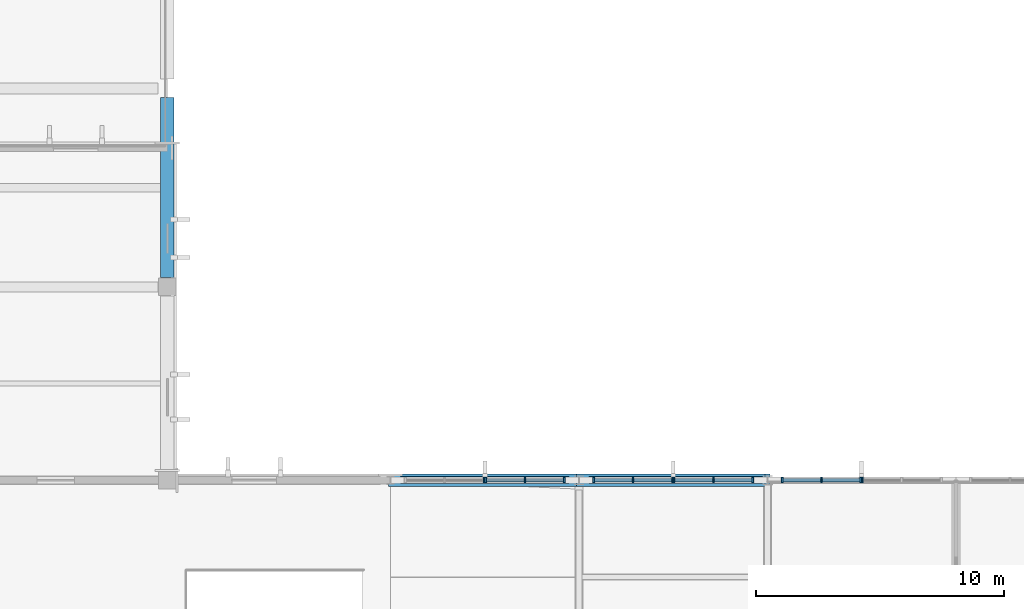
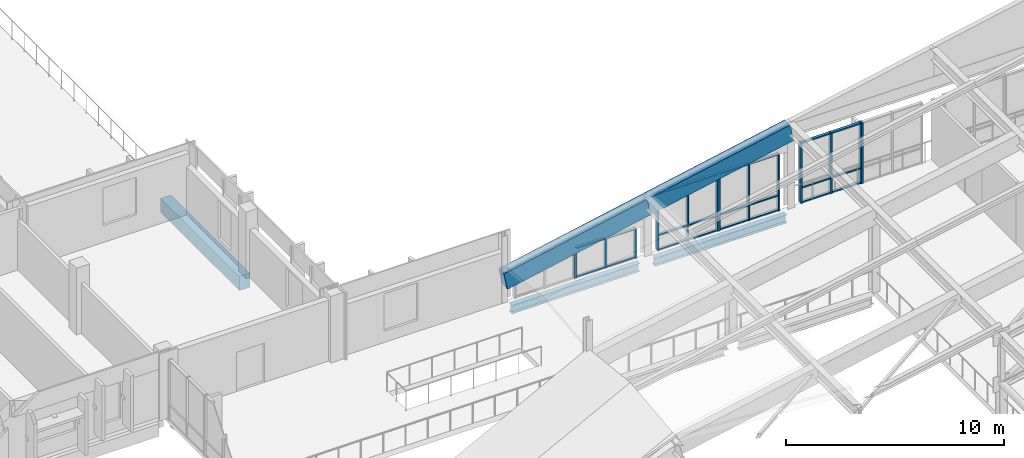
# One storey, part 23 of 73: 36 members, 5 beams, 6 elements without a shape of their own.
"""IFC4 building model written with IfcOpenShell, lengths in metres."""

from ifc_helpers import new_model, si_unit, direction, frame, origin, origin_2d, place, context, subcontext, project, spatial, rectangle, i_section, extrude, material, material_profile, profile_set, type_object, element, aggregate, save


model = new_model("IFC4")

# Units and contexts
model_context = context("Model", 3, precision=1e-05, world=origin(), true_north=direction((0.0, 1.0)))
body_context = subcontext(model_context, "Body", "Model", "MODEL_VIEW")
ifc_project = project(units=[si_unit("LENGTHUNIT", "METRE"), si_unit("AREAUNIT", "SQUARE_METRE"), si_unit("VOLUMEUNIT", "CUBIC_METRE"), si_unit("PLANEANGLEUNIT", "RADIAN"), si_unit("MASSUNIT", "GRAM", prefix="KILO")], contexts=[model_context])

# Site, building, storey
site_placement = place(None, origin())
site = spatial("IfcSite", under=ifc_project, at=site_placement, CompositionType="ELEMENT")
building_placement = place(site_placement, origin())
building = spatial("IfcBuilding", under=site, at=building_placement, Name="Vervanel Yard Central Library", CompositionType="ELEMENT")
storey_placement = place(building_placement, frame((0.0, 0.0, 12.780029296875)))
storey = spatial("IfcBuildingStorey", under=building, at=storey_placement, Name="L03", CompositionType="ELEMENT", Elevation=12.780029296875)

# Beams
ifc_material_1 = material(Name="Concrete C40/50", Category="concrete")
ifc_material_profile_1 = material_profile(ifc_material_1, rectangle(XDim=0.550048828125, YDim=0.800048828125, at=origin_2d()), Name="RC 550x800", Category="concrete")
ifc_profile_set_1 = profile_set([ifc_material_profile_1], Name="Concrete C40/50")
beam_type_1 = type_object("IfcBeamType", Name="Concrete Primary Girder 550x800", PredefinedType="BEAM", material=ifc_profile_set_1)
beam_1_placement = place(storey_placement, frame((99.0, 90.375, -0.735107421875), z_axis=(0.0, 1.0, 0.0), x_axis=(-1.0, 0.0, 0.0)))
element("IfcBeam", 1, at=beam_1_placement, inside=storey, type_object=beam_type_1, Name="L03 Girder CB-02 X=99.0 Y=90.0-98.0", PredefinedType="BEAM", context=body_context, shape_type="SweptSolid", body=[
    extrude(rectangle(XDim=0.550048828125, YDim=0.800048828125, at=origin_2d()), origin(), (0.0, 0.0, 1.0), 7.25),
])
ifc_material_2 = material(Name="Concrete C45/55", Category="concrete")
ifc_material_profile_2 = material_profile(ifc_material_2, rectangle(XDim=0.5, YDim=0.949951171875, at=origin_2d()), Name="RC 500x950", Category="concrete")
ifc_profile_set_2 = profile_set([ifc_material_profile_2], Name="Concrete C45/55")
beam_type_2 = type_object("IfcBeamType", Name="Folded Shell Concrete Edge Rib 500x950", PredefinedType="BEAM", material=ifc_profile_set_2)
beam_2_placement = place(storey_placement, frame((108.0, 82.199951171875, 1.239990234375), z_axis=(0.980653304953, 0.0, 0.195752638515), x_axis=(0.0, 1.0, 0.0)))
element("IfcBeam", 2, at=beam_2_placement, inside=storey, type_object=beam_type_2, Name="Folded Shell Edge Rib Bay 3 Y=82.2", PredefinedType="BEAM", context=body_context, shape_type="SweptSolid", body=[
    extrude(rectangle(XDim=0.5, YDim=0.949951171875, at=origin_2d()), origin(), (0.0, 0.0, 1.0), 7.75),
])
beam_3_placement = place(storey_placement, frame((115.60009765625, 82.199951171875, 2.757080078125), z_axis=(0.980652097773, 0.0, 0.19575868597), x_axis=(0.0, 1.0, 0.0)))
element("IfcBeam", 3, at=beam_3_placement, inside=storey, type_object=beam_type_2, Name="Folded Shell Edge Rib Bay 4 Y=82.2", PredefinedType="BEAM", context=body_context, shape_type="SweptSolid", body=[
    extrude(rectangle(XDim=0.5, YDim=0.949951171875, at=origin_2d()), origin(), (0.0, 0.0, 1.0), 7.749755859375),
])

# Curtain wall, member
ifc_material_3 = material(Name="Thermally broken anodized aluminium 6063-T6", Category="aluminium")
curtain_wall_type = type_object("IfcCurtainWallType", Name="Prow Cantilever Glazed Curtain Wall", PredefinedType="NOTDEFINED", material=ifc_material_3)
curtain_wall_1_placement = place(storey_placement, origin())
curtain_wall_1 = element("IfcCurtainWall", 4, at=curtain_wall_1_placement, inside=storey, type_object=curtain_wall_type, Name="L03 Prow Cantilever Glazed Curtain Wall CWR-L03-108", PredefinedType="NOTDEFINED")
ifc_material_profile_3 = material_profile(ifc_material_3, rectangle(XDim=0.070068359375, YDim=0.219970703125, at=origin_2d()), Name="ALU 70x220", Category="aluminium")
ifc_profile_set_3 = profile_set([ifc_material_profile_3], Name="Thermally broken anodized aluminium 6063-T6")
member_type_1 = type_object("IfcMemberType", Name="Reading Hall Deep Mullion 70x220", PredefinedType="MULLION", material=ifc_profile_set_3)
member_1_placement = place(storey_placement, frame((111.764892578125, 82.199951171875, 0.0), z_axis=(0.0, 0.0, 1.0), x_axis=(1.0, 0.0, 0.0)))
member_1 = element("IfcMember", 5, at=member_1_placement, type_object=member_type_1, Name="CWR-L03-108 Mullion 3", PredefinedType="MULLION", context=body_context, shape_type="SweptSolid", body=[
    extrude(rectangle(XDim=0.070068359375, YDim=0.219970703125, at=origin_2d()), origin(), (0.0, 0.0, 1.0), 1.679931640625),
])
aggregate(curtain_wall_1, [member_1])

# Curtain wall, members
curtain_wall_2_placement = place(storey_placement, origin())
curtain_wall_2 = element("IfcCurtainWall", 6, at=curtain_wall_2_placement, inside=storey, type_object=curtain_wall_type, Name="L03 Prow Cantilever Glazed Curtain Wall CWR-L03-109", PredefinedType="NOTDEFINED")
member_2_placement = place(storey_placement, frame((111.8349609375, 82.199951171875, 0.0), z_axis=(0.0, 0.0, 1.0), x_axis=(1.0, 0.0, 0.0)))
member_2 = element("IfcMember", 7, at=member_2_placement, type_object=member_type_1, Name="CWR-L03-109 Mullion 1", PredefinedType="MULLION", context=body_context, shape_type="SweptSolid", body=[
    extrude(rectangle(XDim=0.070068359375, YDim=0.219970703125, at=origin_2d()), origin(), (0.0, 0.0, 1.0), 1.679931640625),
])
member_3_placement = place(storey_placement, frame((113.419921875, 82.199951171875, 0.0), z_axis=(0.0, 0.0, 1.0), x_axis=(1.0, 0.0, 0.0)))
member_3 = element("IfcMember", 8, at=member_3_placement, type_object=member_type_1, Name="CWR-L03-109 Mullion 2", PredefinedType="MULLION", context=body_context, shape_type="SweptSolid", body=[
    extrude(rectangle(XDim=0.070068359375, YDim=0.219970703125, at=origin_2d()), origin(), (0.0, 0.0, 1.0), 1.679931640625),
])
member_4_placement = place(storey_placement, frame((115.0048828125, 82.199951171875, 0.0), z_axis=(0.0, 0.0, 1.0), x_axis=(1.0, 0.0, 0.0)))
member_4 = element("IfcMember", 9, at=member_4_placement, type_object=member_type_1, Name="CWR-L03-109 Mullion 3", PredefinedType="MULLION", context=body_context, shape_type="SweptSolid", body=[
    extrude(rectangle(XDim=0.070068359375, YDim=0.219970703125, at=origin_2d()), origin(), (0.0, 0.0, 1.0), 1.679931640625),
])

curtain_wall_3_placement = place(storey_placement, origin())
curtain_wall_3 = element("IfcCurtainWall", 10, at=curtain_wall_3_placement, inside=storey, type_object=curtain_wall_type, Name="L03 Prow Cantilever Glazed Curtain Wall CWR-L03-110", PredefinedType="NOTDEFINED")
member_5_placement = place(storey_placement, frame((116.195068359375, 82.199951171875, 0.0), z_axis=(0.0, 0.0, 1.0), x_axis=(1.0, 0.0, 0.0)))
member_5 = element("IfcMember", 11, at=member_5_placement, type_object=member_type_1, Name="CWR-L03-110 Mullion 1", PredefinedType="MULLION", context=body_context, shape_type="SweptSolid", body=[
    extrude(rectangle(XDim=0.070068359375, YDim=0.219970703125, at=origin_2d()), origin(), (0.0, 0.0, 1.0), 3.197021484375),
])
member_6_placement = place(storey_placement, frame((117.780029296875, 82.199951171875, 0.0), z_axis=(0.0, 0.0, 1.0), x_axis=(1.0, 0.0, 0.0)))
member_6 = element("IfcMember", 12, at=member_6_placement, type_object=member_type_1, Name="CWR-L03-110 Mullion 2", PredefinedType="MULLION", context=body_context, shape_type="SweptSolid", body=[
    extrude(rectangle(XDim=0.070068359375, YDim=0.219970703125, at=origin_2d()), origin(), (0.0, 0.0, 1.0), 3.197021484375),
])
member_7_placement = place(storey_placement, frame((119.364990234375, 82.199951171875, 0.0), z_axis=(0.0, 0.0, 1.0), x_axis=(1.0, 0.0, 0.0)))
member_7 = element("IfcMember", 13, at=member_7_placement, type_object=member_type_1, Name="CWR-L03-110 Mullion 3", PredefinedType="MULLION", context=body_context, shape_type="SweptSolid", body=[
    extrude(rectangle(XDim=0.070068359375, YDim=0.219970703125, at=origin_2d()), origin(), (0.0, 0.0, 1.0), 3.197021484375),
])

curtain_wall_4_placement = place(storey_placement, origin())
curtain_wall_4 = element("IfcCurtainWall", 14, at=curtain_wall_4_placement, inside=storey, type_object=curtain_wall_type, Name="L03 Prow Cantilever Glazed Curtain Wall CWR-L03-111", PredefinedType="NOTDEFINED")
member_8_placement = place(storey_placement, frame((119.43505859375, 82.199951171875, 0.0), z_axis=(0.0, 0.0, 1.0), x_axis=(1.0, 0.0, 0.0)))
member_8 = element("IfcMember", 15, at=member_8_placement, type_object=member_type_1, Name="CWR-L03-111 Mullion 1", PredefinedType="MULLION", context=body_context, shape_type="SweptSolid", body=[
    extrude(rectangle(XDim=0.070068359375, YDim=0.219970703125, at=origin_2d()), origin(), (0.0, 0.0, 1.0), 3.197021484375),
])
member_9_placement = place(storey_placement, frame((121.02001953125, 82.199951171875, 0.0), z_axis=(0.0, 0.0, 1.0), x_axis=(1.0, 0.0, 0.0)))
member_9 = element("IfcMember", 16, at=member_9_placement, type_object=member_type_1, Name="CWR-L03-111 Mullion 2", PredefinedType="MULLION", context=body_context, shape_type="SweptSolid", body=[
    extrude(rectangle(XDim=0.070068359375, YDim=0.219970703125, at=origin_2d()), origin(), (0.0, 0.0, 1.0), 3.197021484375),
])
member_10_placement = place(storey_placement, frame((122.60498046875, 82.199951171875, 0.0), z_axis=(0.0, 0.0, 1.0), x_axis=(1.0, 0.0, 0.0)))
member_10 = element("IfcMember", 17, at=member_10_placement, type_object=member_type_1, Name="CWR-L03-111 Mullion 3", PredefinedType="MULLION", context=body_context, shape_type="SweptSolid", body=[
    extrude(rectangle(XDim=0.070068359375, YDim=0.219970703125, at=origin_2d()), origin(), (0.0, 0.0, 1.0), 3.197021484375),
])

curtain_wall_5_placement = place(storey_placement, origin())
curtain_wall_5 = element("IfcCurtainWall", 18, at=curtain_wall_5_placement, inside=storey, type_object=curtain_wall_type, Name="L03 Prow Cantilever Glazed Curtain Wall CWR-L03-112", PredefinedType="NOTDEFINED")
member_11_placement = place(storey_placement, frame((123.794921875, 82.199951171875, 0.0), z_axis=(0.0, 0.0, 1.0), x_axis=(1.0, 0.0, 0.0)))
member_11 = element("IfcMember", 19, at=member_11_placement, type_object=member_type_1, Name="CWR-L03-112 Mullion 1", PredefinedType="MULLION", context=body_context, shape_type="SweptSolid", body=[
    extrude(rectangle(XDim=0.070068359375, YDim=0.219970703125, at=origin_2d()), origin(), (0.0, 0.0, 1.0), 3.39990234375),
])
member_12_placement = place(storey_placement, frame((125.3798828125, 82.199951171875, 0.0), z_axis=(0.0, 0.0, 1.0), x_axis=(1.0, 0.0, 0.0)))
member_12 = element("IfcMember", 20, at=member_12_placement, type_object=member_type_1, Name="CWR-L03-112 Mullion 2", PredefinedType="MULLION", context=body_context, shape_type="SweptSolid", body=[
    extrude(rectangle(XDim=0.070068359375, YDim=0.219970703125, at=origin_2d()), origin(), (0.0, 0.0, 1.0), 3.39990234375),
])
member_13_placement = place(storey_placement, frame((126.965087890625, 82.199951171875, 0.0), z_axis=(0.0, 0.0, 1.0), x_axis=(1.0, 0.0, 0.0)))
member_13 = element("IfcMember", 21, at=member_13_placement, type_object=member_type_1, Name="CWR-L03-112 Mullion 3", PredefinedType="MULLION", context=body_context, shape_type="SweptSolid", body=[
    extrude(rectangle(XDim=0.070068359375, YDim=0.219970703125, at=origin_2d()), origin(), (0.0, 0.0, 1.0), 3.39990234375),
])

# Curtain wall, member
curtain_wall_6_placement = place(storey_placement, origin())
curtain_wall_6 = element("IfcCurtainWall", 22, at=curtain_wall_6_placement, inside=storey, type_object=curtain_wall_type, Name="L03 Prow Cantilever Glazed Curtain Wall CWR-L03-113", PredefinedType="NOTDEFINED")
member_14_placement = place(storey_placement, frame((127.034912109375, 82.199951171875, 0.0), z_axis=(0.0, 0.0, 1.0), x_axis=(1.0, 0.0, 0.0)))
member_14 = element("IfcMember", 23, at=member_14_placement, type_object=member_type_1, Name="CWR-L03-113 Mullion 1", PredefinedType="MULLION", context=body_context, shape_type="SweptSolid", body=[
    extrude(rectangle(XDim=0.070068359375, YDim=0.219970703125, at=origin_2d()), origin(), (0.0, 0.0, 1.0), 3.39990234375),
])
aggregate(curtain_wall_6, [member_14])

# Member
ifc_material_profile_4 = material_profile(ifc_material_3, rectangle(XDim=0.070068359375, YDim=0.14990234375, at=origin_2d()), Name="ALU 70x150", Category="aluminium")
ifc_profile_set_4 = profile_set([ifc_material_profile_4], Name="Thermally broken anodized aluminium 6063-T6")
member_type_2 = type_object("IfcMemberType", Name="Reading Hall Deep Transom 70x150", PredefinedType="NOTDEFINED", material=ifc_profile_set_4)
member_15_placement = place(storey_placement, frame((111.8701171875, 82.199951171875, 0.034912109375), z_axis=(1.0, 0.0, 0.0), x_axis=(0.0, 0.0, 1.0)))
member_15 = element("IfcMember", 24, at=member_15_placement, type_object=member_type_2, Name="CWR-L03-109 Transom B1-T1", ObjectType="TRANSOM", PredefinedType="USERDEFINED", context=body_context, shape_type="SweptSolid", body=[
    extrude(rectangle(XDim=0.070068359375, YDim=0.14990234375, at=origin_2d()), origin(), (0.0, 0.0, 1.0), 1.514892578125),
])

member_16_placement = place(storey_placement, frame((111.8701171875, 82.199951171875, 1.64501953125), z_axis=(1.0, 0.0, 0.0), x_axis=(0.0, 0.0, 1.0)))
member_16 = element("IfcMember", 25, at=member_16_placement, type_object=member_type_2, Name="CWR-L03-109 Transom B1-T2", ObjectType="TRANSOM", PredefinedType="USERDEFINED", context=body_context, shape_type="SweptSolid", body=[
    extrude(rectangle(XDim=0.070068359375, YDim=0.14990234375, at=origin_2d()), origin(), (0.0, 0.0, 1.0), 1.514892578125),
])

member_17_placement = place(storey_placement, frame((113.455078125, 82.199951171875, 0.034912109375), z_axis=(1.0, 0.0, 0.0), x_axis=(0.0, 0.0, 1.0)))
member_17 = element("IfcMember", 26, at=member_17_placement, type_object=member_type_2, Name="CWR-L03-109 Transom B2-T1", ObjectType="TRANSOM", PredefinedType="USERDEFINED", context=body_context, shape_type="SweptSolid", body=[
    extrude(rectangle(XDim=0.070068359375, YDim=0.14990234375, at=origin_2d()), origin(), (0.0, 0.0, 1.0), 1.514892578125),
])

member_18_placement = place(storey_placement, frame((113.455078125, 82.199951171875, 1.64501953125), z_axis=(1.0, 0.0, 0.0), x_axis=(0.0, 0.0, 1.0)))
member_18 = element("IfcMember", 27, at=member_18_placement, type_object=member_type_2, Name="CWR-L03-109 Transom B2-T2", ObjectType="TRANSOM", PredefinedType="USERDEFINED", context=body_context, shape_type="SweptSolid", body=[
    extrude(rectangle(XDim=0.070068359375, YDim=0.14990234375, at=origin_2d()), origin(), (0.0, 0.0, 1.0), 1.514892578125),
])

aggregate(curtain_wall_2, [member_2, member_3, member_4, member_15, member_16, member_17, member_18])

member_19_placement = place(storey_placement, frame((116.22998046875, 82.199951171875, 0.034912109375), z_axis=(1.0, 0.0, 0.0), x_axis=(0.0, 0.0, 1.0)))
member_19 = element("IfcMember", 28, at=member_19_placement, type_object=member_type_2, Name="CWR-L03-110 Transom B1-T1", ObjectType="TRANSOM", PredefinedType="USERDEFINED", context=body_context, shape_type="SweptSolid", body=[
    extrude(rectangle(XDim=0.070068359375, YDim=0.14990234375, at=origin_2d()), origin(), (0.0, 0.0, 1.0), 1.51513671875),
])

member_20_placement = place(storey_placement, frame((116.22998046875, 82.199951171875, 0.849853515625), z_axis=(1.0, 0.0, 0.0), x_axis=(0.0, 0.0, 1.0)))
member_20 = element("IfcMember", 29, at=member_20_placement, type_object=member_type_2, Name="CWR-L03-110 Transom B1-T2", ObjectType="TRANSOM", PredefinedType="USERDEFINED", context=body_context, shape_type="SweptSolid", body=[
    extrude(rectangle(XDim=0.070068359375, YDim=0.14990234375, at=origin_2d()), origin(), (0.0, 0.0, 1.0), 1.51513671875),
])

member_21_placement = place(storey_placement, frame((116.22998046875, 82.199951171875, 3.162109375), z_axis=(1.0, 0.0, 0.0), x_axis=(0.0, 0.0, 1.0)))
member_21 = element("IfcMember", 30, at=member_21_placement, type_object=member_type_2, Name="CWR-L03-110 Transom B1-T3", ObjectType="TRANSOM", PredefinedType="USERDEFINED", context=body_context, shape_type="SweptSolid", body=[
    extrude(rectangle(XDim=0.070068359375, YDim=0.14990234375, at=origin_2d()), origin(), (0.0, 0.0, 1.0), 1.51513671875),
])

member_22_placement = place(storey_placement, frame((117.81494140625, 82.199951171875, 0.034912109375), z_axis=(1.0, 0.0, 0.0), x_axis=(0.0, 0.0, 1.0)))
member_22 = element("IfcMember", 31, at=member_22_placement, type_object=member_type_2, Name="CWR-L03-110 Transom B2-T1", ObjectType="TRANSOM", PredefinedType="USERDEFINED", context=body_context, shape_type="SweptSolid", body=[
    extrude(rectangle(XDim=0.070068359375, YDim=0.14990234375, at=origin_2d()), origin(), (0.0, 0.0, 1.0), 1.51513671875),
])

member_23_placement = place(storey_placement, frame((117.81494140625, 82.199951171875, 0.849853515625), z_axis=(1.0, 0.0, 0.0), x_axis=(0.0, 0.0, 1.0)))
member_23 = element("IfcMember", 32, at=member_23_placement, type_object=member_type_2, Name="CWR-L03-110 Transom B2-T2", ObjectType="TRANSOM", PredefinedType="USERDEFINED", context=body_context, shape_type="SweptSolid", body=[
    extrude(rectangle(XDim=0.070068359375, YDim=0.14990234375, at=origin_2d()), origin(), (0.0, 0.0, 1.0), 1.51513671875),
])

member_24_placement = place(storey_placement, frame((117.81494140625, 82.199951171875, 3.162109375), z_axis=(1.0, 0.0, 0.0), x_axis=(0.0, 0.0, 1.0)))
member_24 = element("IfcMember", 33, at=member_24_placement, type_object=member_type_2, Name="CWR-L03-110 Transom B2-T3", ObjectType="TRANSOM", PredefinedType="USERDEFINED", context=body_context, shape_type="SweptSolid", body=[
    extrude(rectangle(XDim=0.070068359375, YDim=0.14990234375, at=origin_2d()), origin(), (0.0, 0.0, 1.0), 1.51513671875),
])

aggregate(curtain_wall_3, [member_5, member_6, member_7, member_19, member_20, member_21, member_22, member_23, member_24])

member_25_placement = place(storey_placement, frame((119.469970703125, 82.199951171875, 0.034912109375), z_axis=(1.0, 0.0, 0.0), x_axis=(0.0, 0.0, 1.0)))
member_25 = element("IfcMember", 34, at=member_25_placement, type_object=member_type_2, Name="CWR-L03-111 Transom B1-T1", ObjectType="TRANSOM", PredefinedType="USERDEFINED", context=body_context, shape_type="SweptSolid", body=[
    extrude(rectangle(XDim=0.070068359375, YDim=0.14990234375, at=origin_2d()), origin(), (0.0, 0.0, 1.0), 1.51513671875),
])

member_26_placement = place(storey_placement, frame((119.469970703125, 82.199951171875, 0.849853515625), z_axis=(1.0, 0.0, 0.0), x_axis=(0.0, 0.0, 1.0)))
member_26 = element("IfcMember", 35, at=member_26_placement, type_object=member_type_2, Name="CWR-L03-111 Transom B1-T2", ObjectType="TRANSOM", PredefinedType="USERDEFINED", context=body_context, shape_type="SweptSolid", body=[
    extrude(rectangle(XDim=0.070068359375, YDim=0.14990234375, at=origin_2d()), origin(), (0.0, 0.0, 1.0), 1.51513671875),
])

member_27_placement = place(storey_placement, frame((119.469970703125, 82.199951171875, 3.162109375), z_axis=(1.0, 0.0, 0.0), x_axis=(0.0, 0.0, 1.0)))
member_27 = element("IfcMember", 36, at=member_27_placement, type_object=member_type_2, Name="CWR-L03-111 Transom B1-T3", ObjectType="TRANSOM", PredefinedType="USERDEFINED", context=body_context, shape_type="SweptSolid", body=[
    extrude(rectangle(XDim=0.070068359375, YDim=0.14990234375, at=origin_2d()), origin(), (0.0, 0.0, 1.0), 1.51513671875),
])

member_28_placement = place(storey_placement, frame((121.054931640625, 82.199951171875, 0.034912109375), z_axis=(1.0, 0.0, 0.0), x_axis=(0.0, 0.0, 1.0)))
member_28 = element("IfcMember", 37, at=member_28_placement, type_object=member_type_2, Name="CWR-L03-111 Transom B2-T1", ObjectType="TRANSOM", PredefinedType="USERDEFINED", context=body_context, shape_type="SweptSolid", body=[
    extrude(rectangle(XDim=0.070068359375, YDim=0.14990234375, at=origin_2d()), origin(), (0.0, 0.0, 1.0), 1.51513671875),
])

member_29_placement = place(storey_placement, frame((121.054931640625, 82.199951171875, 0.849853515625), z_axis=(1.0, 0.0, 0.0), x_axis=(0.0, 0.0, 1.0)))
member_29 = element("IfcMember", 38, at=member_29_placement, type_object=member_type_2, Name="CWR-L03-111 Transom B2-T2", ObjectType="TRANSOM", PredefinedType="USERDEFINED", context=body_context, shape_type="SweptSolid", body=[
    extrude(rectangle(XDim=0.070068359375, YDim=0.14990234375, at=origin_2d()), origin(), (0.0, 0.0, 1.0), 1.51513671875),
])

member_30_placement = place(storey_placement, frame((121.054931640625, 82.199951171875, 3.162109375), z_axis=(1.0, 0.0, 0.0), x_axis=(0.0, 0.0, 1.0)))
member_30 = element("IfcMember", 39, at=member_30_placement, type_object=member_type_2, Name="CWR-L03-111 Transom B2-T3", ObjectType="TRANSOM", PredefinedType="USERDEFINED", context=body_context, shape_type="SweptSolid", body=[
    extrude(rectangle(XDim=0.070068359375, YDim=0.14990234375, at=origin_2d()), origin(), (0.0, 0.0, 1.0), 1.51513671875),
])

aggregate(curtain_wall_4, [member_8, member_9, member_10, member_25, member_26, member_27, member_28, member_29, member_30])

member_31_placement = place(storey_placement, frame((123.830078125, 82.199951171875, 0.034912109375), z_axis=(1.0, 0.0, 0.0), x_axis=(0.0, 0.0, 1.0)))
member_31 = element("IfcMember", 40, at=member_31_placement, type_object=member_type_2, Name="CWR-L03-112 Transom B1-T1", ObjectType="TRANSOM", PredefinedType="USERDEFINED", context=body_context, shape_type="SweptSolid", body=[
    extrude(rectangle(XDim=0.070068359375, YDim=0.14990234375, at=origin_2d()), origin(), (0.0, 0.0, 1.0), 1.514892578125),
])

member_32_placement = place(storey_placement, frame((123.830078125, 82.199951171875, 0.849853515625), z_axis=(1.0, 0.0, 0.0), x_axis=(0.0, 0.0, 1.0)))
member_32 = element("IfcMember", 41, at=member_32_placement, type_object=member_type_2, Name="CWR-L03-112 Transom B1-T2", ObjectType="TRANSOM", PredefinedType="USERDEFINED", context=body_context, shape_type="SweptSolid", body=[
    extrude(rectangle(XDim=0.070068359375, YDim=0.14990234375, at=origin_2d()), origin(), (0.0, 0.0, 1.0), 1.514892578125),
])

member_33_placement = place(storey_placement, frame((123.830078125, 82.199951171875, 3.364990234375), z_axis=(1.0, 0.0, 0.0), x_axis=(0.0, 0.0, 1.0)))
member_33 = element("IfcMember", 42, at=member_33_placement, type_object=member_type_2, Name="CWR-L03-112 Transom B1-T3", ObjectType="TRANSOM", PredefinedType="USERDEFINED", context=body_context, shape_type="SweptSolid", body=[
    extrude(rectangle(XDim=0.070068359375, YDim=0.14990234375, at=origin_2d()), origin(), (0.0, 0.0, 1.0), 1.514892578125),
])

member_34_placement = place(storey_placement, frame((125.4150390625, 82.199951171875, 0.034912109375), z_axis=(1.0, 0.0, 0.0), x_axis=(0.0, 0.0, 1.0)))
member_34 = element("IfcMember", 43, at=member_34_placement, type_object=member_type_2, Name="CWR-L03-112 Transom B2-T1", ObjectType="TRANSOM", PredefinedType="USERDEFINED", context=body_context, shape_type="SweptSolid", body=[
    extrude(rectangle(XDim=0.070068359375, YDim=0.14990234375, at=origin_2d()), origin(), (0.0, 0.0, 1.0), 1.514892578125),
])

member_35_placement = place(storey_placement, frame((125.4150390625, 82.199951171875, 0.849853515625), z_axis=(1.0, 0.0, 0.0), x_axis=(0.0, 0.0, 1.0)))
member_35 = element("IfcMember", 44, at=member_35_placement, type_object=member_type_2, Name="CWR-L03-112 Transom B2-T2", ObjectType="TRANSOM", PredefinedType="USERDEFINED", context=body_context, shape_type="SweptSolid", body=[
    extrude(rectangle(XDim=0.070068359375, YDim=0.14990234375, at=origin_2d()), origin(), (0.0, 0.0, 1.0), 1.514892578125),
])

member_36_placement = place(storey_placement, frame((125.4150390625, 82.199951171875, 3.364990234375), z_axis=(1.0, 0.0, 0.0), x_axis=(0.0, 0.0, 1.0)))
member_36 = element("IfcMember", 45, at=member_36_placement, type_object=member_type_2, Name="CWR-L03-112 Transom B2-T3", ObjectType="TRANSOM", PredefinedType="USERDEFINED", context=body_context, shape_type="SweptSolid", body=[
    extrude(rectangle(XDim=0.070068359375, YDim=0.14990234375, at=origin_2d()), origin(), (0.0, 0.0, 1.0), 1.514892578125),
])

aggregate(curtain_wall_5, [member_11, member_12, member_13, member_31, member_32, member_33, member_34, member_35, member_36])

# Beams
ifc_material_4 = material(Name="Steel ASTM A992 Grade 50", Category="steel")
ifc_material_profile_5 = material_profile(ifc_material_4, i_section(OverallWidth=0.281982421875, OverallDepth=0.46728515625, WebThickness=0.01220703125, FlangeThickness=0.01953125, at=origin_2d()), Name="W18X86", Category="steel")
ifc_profile_set_5 = profile_set([ifc_material_profile_5], Name="Steel ASTM A992 Grade 50")
beam_type_3 = type_object("IfcBeamType", Name="Steel Spandrel Beam W18X86", PredefinedType="SPANDREL", material=ifc_profile_set_5)
beam_4_placement = place(storey_placement, frame((108.39990234375, 82.199951171875, -0.548828125), z_axis=(1.0, 0.0, 0.0), x_axis=(0.0, 1.0, 0.0)))
element("IfcBeam", 46, at=beam_4_placement, inside=storey, type_object=beam_type_3, Name="L03 Girder SP-02 Y=82.2 X=108.0-115.6", PredefinedType="SPANDREL", context=body_context, shape_type="SweptSolid", body=[
    extrude(i_section(OverallWidth=0.281982421875, OverallDepth=0.46728515625, WebThickness=0.01220703125, FlangeThickness=0.01953125, at=origin_2d()), origin(), (0.0, 0.0, 1.0), 6.800048828125),
])
beam_5_placement = place(storey_placement, frame((116.0, 82.199951171875, -0.548828125), z_axis=(1.0, 0.0, 0.0), x_axis=(0.0, 1.0, 0.0)))
element("IfcBeam", 47, at=beam_5_placement, inside=storey, type_object=beam_type_3, Name="L03 Girder SP-02 Y=82.2 X=115.6-123.2", PredefinedType="SPANDREL", context=body_context, shape_type="SweptSolid", body=[
    extrude(i_section(OverallWidth=0.281982421875, OverallDepth=0.46728515625, WebThickness=0.01220703125, FlangeThickness=0.01953125, at=origin_2d()), origin(), (0.0, 0.0, 1.0), 6.999267578125),
])

save(model, "model.ifc")
